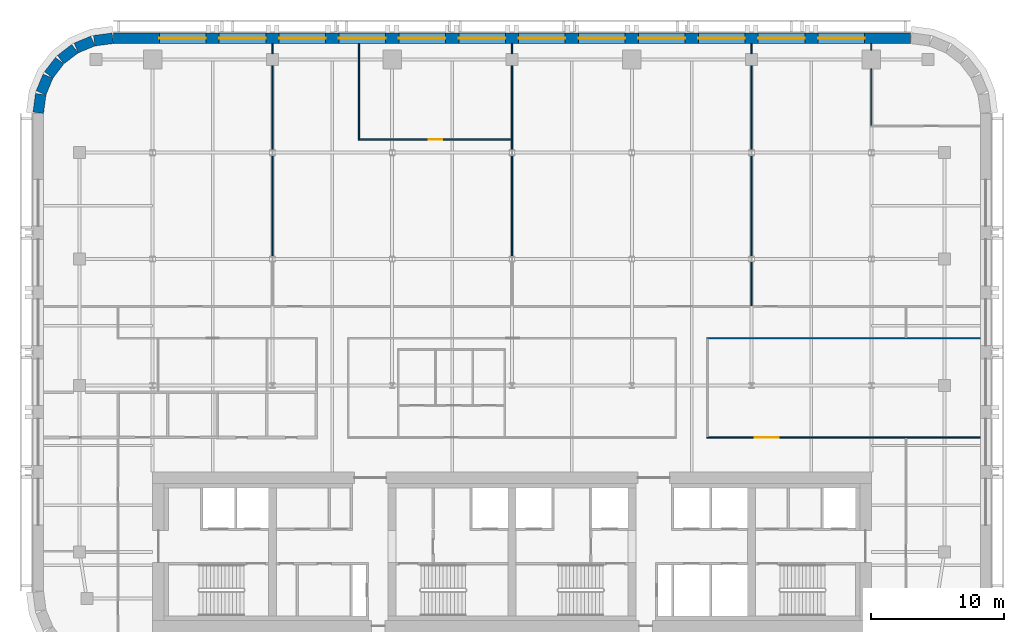
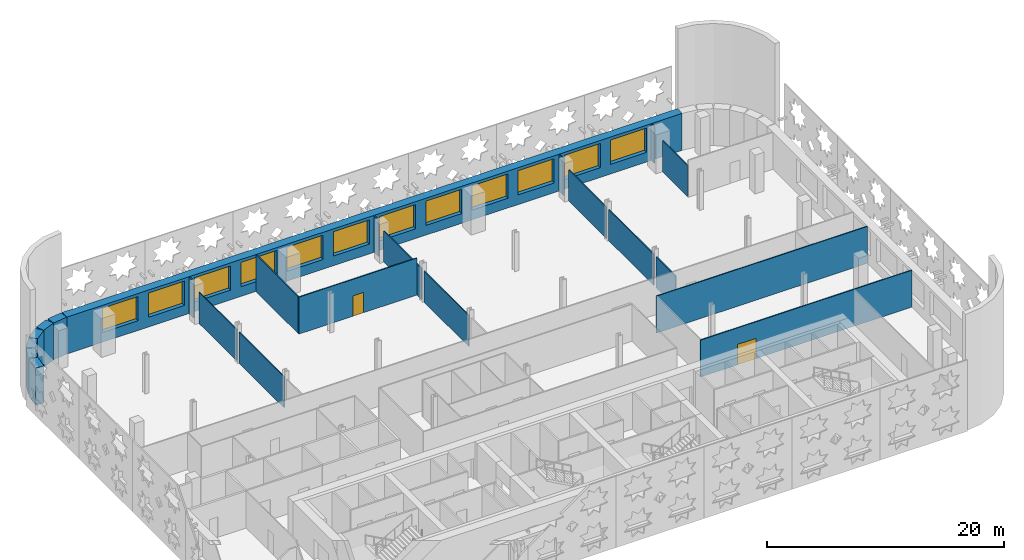
# One storey, part 7 of 14: 23 walls, 12 windows, 2 doors, 14 openings.
"""IFC4 building model written with IfcOpenShell, lengths in metres."""

import ifcopenshell
import ifcopenshell.guid

model = None  # the IFC model being written
_history = None  # IfcOwnerHistory: only IFC2X3 demands one
_inside = {}  # id of a spatial element -> (the spatial element, [elements in it])
_under = {}  # id of a project, library or spatial element -> (it, [spatial elements below it])
_declared = {}  # id of a project -> (the project, [libraries it declares])
_typed = {}  # id of a type object -> (the type object, [elements of that type])
_made_of = {}  # id of a material, layer set ... -> (it, [elements and type objects made of it])


def new_model(schema):
    """Start an empty IFC model of exactly this schema.

    Asked for "IFC4X3", IfcOpenShell would pick the latest addendum, in which some entities
    have other attributes; the version numbers below select the first issue.
    IFC2X3 requires an IfcOwnerHistory on every rooted entity: one is made here for all.
    """
    global model, _history
    if schema == "IFC4X3":
        model = ifcopenshell.file(schema_version=(4, 3, 0, 0))
    else:
        model = ifcopenshell.file(schema=schema)
    _inside.clear()
    _under.clear()
    _declared.clear()
    _typed.clear()
    _made_of.clear()
    _history = None
    if model.schema == "IFC2X3":
        org = make("IfcOrganization", Name="unknown")
        user = make(
            "IfcPersonAndOrganization",
            ThePerson=make("IfcPerson", FamilyName="unknown"),
            TheOrganization=org,
        )
        app = make(
            "IfcApplication",
            ApplicationDeveloper=org,
            Version="unknown",
            ApplicationFullName="unknown",
            ApplicationIdentifier="unknown",
        )
        _history = make(
            "IfcOwnerHistory",
            OwningUser=user,
            OwningApplication=app,
            ChangeAction="ADDED",
            CreationDate=0,
        )
    return model


def make(cls, **values):
    """One entity of the class cls with the attributes given. An attribute that is None is left unset."""
    return model.create_entity(
        cls, **{name: value for name, value in values.items() if value is not None}
    )


def rooted(cls, **values):
    """An entity with a GlobalId (a new one), such as an element, a storey or a relation."""
    return make(cls, GlobalId=ifcopenshell.guid.new(), OwnerHistory=_history, **values)


def si_unit(unit_type, name, prefix=None):
    """IfcSIUnit, for example si_unit("LENGTHUNIT", "METRE", prefix="MILLI")."""
    return make("IfcSIUnit", UnitType=unit_type, Prefix=prefix, Name=name)


def assignment(units):
    """IfcUnitAssignment: the units of a project."""
    return None if units is None else make("IfcUnitAssignment", Units=units)


def point(xyz):
    """IfcCartesianPoint."""
    return None if xyz is None else make("IfcCartesianPoint", Coordinates=xyz)


def direction(xyz):
    """IfcDirection."""
    return None if xyz is None else make("IfcDirection", DirectionRatios=xyz)


def frame(location, z_axis=None, x_axis=None):
    """IfcAxis2Placement3D, a coordinate frame: its origin and axes. An axis left out is left unset."""
    return make(
        "IfcAxis2Placement3D",
        Location=point(location),
        Axis=direction(z_axis),
        RefDirection=direction(x_axis),
    )


def frame_2d(location, x_axis=None):
    """IfcAxis2Placement2D, a coordinate frame in the plane: its origin and x axis."""
    return make(
        "IfcAxis2Placement2D", Location=point(location), RefDirection=direction(x_axis)
    )


def origin():
    """The frame at (0, 0, 0) with its axes left unset."""
    return frame((0.0, 0.0, 0.0))


def place(relative_to, where):
    """IfcLocalPlacement: puts the frame where relative to a parent placement (None: the world)."""
    return make(
        "IfcLocalPlacement", PlacementRelTo=relative_to, RelativePlacement=where
    )


def context(
    kind, dimensions, precision=None, world=None, true_north=None, identifier=None
):
    """IfcGeometricRepresentationContext, for example the 3D "Model" context."""
    return make(
        "IfcGeometricRepresentationContext",
        ContextIdentifier=identifier,
        ContextType=kind,
        CoordinateSpaceDimension=dimensions,
        Precision=precision,
        WorldCoordinateSystem=world,
        TrueNorth=true_north,
    )


def subcontext(parent, identifier, kind, view, scale=None):
    """IfcGeometricRepresentationSubContext, for example "Body" below "Model"."""
    return make(
        "IfcGeometricRepresentationSubContext",
        ContextIdentifier=identifier,
        ContextType=kind,
        ParentContext=parent,
        TargetScale=scale,
        TargetView=view,
    )


def project(units=None, contexts=None):
    """IfcProject with its units and contexts."""
    return rooted(
        "IfcProject",
        Name="project",
        RepresentationContexts=contexts,
        UnitsInContext=assignment(units),
    )


def spatial(cls, under=None, at=None, **own):
    """A site, building, storey or space (cls), placed at a placement, below another one or the project."""
    s = rooted(cls, ObjectPlacement=at, **own)
    if under is not None:
        _under.setdefault(under.id(), (under, []))[1].append(s)
    return s


def profile(cls, at=None, kind="AREA", **sizes):
    """A parametric profile (cls). Its sizes go by their IFC names, for example OverallWidth=200.0."""
    return make(cls, ProfileType=kind, Position=at, **sizes)


def rectangle(**sizes):
    """IfcRectangleProfileDef."""
    return profile("IfcRectangleProfileDef", **sizes)


def extrude(swept, where, along, depth):
    """IfcExtrudedAreaSolid: the profile swept, set in the frame where, extruded along a direction by depth."""
    return make(
        "IfcExtrudedAreaSolid",
        SweptArea=swept,
        Position=where,
        ExtrudedDirection=direction(along),
        Depth=depth,
    )


def shape(context_of_items, identifier, shape_type, items):
    """IfcShapeRepresentation: the items that make up one representation, for example the "Body"."""
    return make(
        "IfcShapeRepresentation",
        ContextOfItems=context_of_items,
        RepresentationIdentifier=identifier,
        RepresentationType=shape_type,
        Items=items,
    )


def material(Name=None, Category=None):
    """IfcMaterial."""
    return make("IfcMaterial", Name=Name, Category=Category)


def layer(
    of_material, thickness, ventilated=None, Name=None, Category=None, Priority=None
):
    """IfcMaterialLayer: one layer of a wall or slab, of a material (None: an air gap)."""
    return make(
        "IfcMaterialLayer",
        Material=of_material,
        LayerThickness=thickness,
        IsVentilated=ventilated,
        Name=Name,
        Category=Category,
        Priority=Priority,
    )


def layer_set(layers, Name=None):
    """IfcMaterialLayerSet."""
    return make("IfcMaterialLayerSet", MaterialLayers=layers, LayerSetName=Name)


def made_of(thing, what):
    """Note that an element or type object is made of a material, layer set ...; save() writes the relation."""
    if what is not None:
        _made_of.setdefault(what.id(), (what, []))[1].append(thing)
    return thing


def type_object(cls, material=None, **own):
    """A type object (cls), such as IfcWallType, which elements share."""
    return made_of(rooted(cls, **own), material)


def element(
    cls,
    number,
    at=None,
    inside=None,
    cuts=None,
    type_object=None,
    material=None,
    context=None,
    identifier="Body",
    shape_type=None,
    held_by="IfcProductDefinitionShape",
    body=None,
    shapes=None,
    **own,
):
    """One element of the class cls, such as IfcWall. Its Tag is "e" and its number.

    at: its placement. inside: the storey or other place that contains it. cuts: it is an
    opening in that element (IfcRelVoidsElement). A single representation is given by context,
    identifier, shape_type and body (its items); several are given by shapes. held_by: the class
    of the entity that holds the representations. save() writes the other relations.
    """
    e = rooted(cls, Tag="e%d" % number, ObjectPlacement=at, **own)
    if body is not None:
        shapes = [shape(context, identifier, shape_type, body)]
    if shapes is not None:
        e.Representation = make(held_by, Representations=shapes)
    if inside is not None:
        _inside.setdefault(inside.id(), (inside, []))[1].append(e)
    if cuts is not None:
        rooted(
            "IfcRelVoidsElement", RelatingBuildingElement=cuts, RelatedOpeningElement=e
        )
    if type_object is not None:
        _typed.setdefault(type_object.id(), (type_object, []))[1].append(e)
    return made_of(e, material)


def fill(opening, filler):
    """IfcRelFillsElement: the door or window that sits in an opening."""
    return rooted(
        "IfcRelFillsElement",
        RelatingOpeningElement=opening,
        RelatedBuildingElement=filler,
    )


def aggregate(whole, parts):
    """IfcRelAggregates: a whole, such as a stair, and the parts it consists of."""
    return rooted("IfcRelAggregates", RelatingObject=whole, RelatedObjects=parts)


def save(model, path):
    """Write the relations noted so far, then the file.

    IfcRelAggregates (storeys below a building ...), IfcRelContainedInSpatialStructure (elements
    in a storey), IfcRelDefinesByType, IfcRelAssociatesMaterial and IfcRelDeclares: one each for
    every whole, place, type object, material and project.
    """
    for whole, parts in _under.values():
        aggregate(whole, parts)
    for where, things in _inside.values():
        rooted(
            "IfcRelContainedInSpatialStructure",
            RelatedElements=things,
            RelatingStructure=where,
        )
    for kind, things in _typed.values():
        rooted("IfcRelDefinesByType", RelatedObjects=things, RelatingType=kind)
    for what, things in _made_of.values():
        rooted("IfcRelAssociatesMaterial", RelatedObjects=things, RelatingMaterial=what)
    for by, libraries in _declared.values():
        rooted("IfcRelDeclares", RelatingContext=by, RelatedDefinitions=libraries)
    model.write(path)


model = new_model("IFC4")

# Units and contexts
model_context = context("Model", 3, precision=1e-05, world=origin(), true_north=direction((0.0, 1.0)))
body_context = subcontext(model_context, "Body", "Model", "MODEL_VIEW")
ifc_project = project(units=[si_unit("LENGTHUNIT", "METRE"), si_unit("AREAUNIT", "SQUARE_METRE"), si_unit("VOLUMEUNIT", "CUBIC_METRE"), si_unit("PLANEANGLEUNIT", "RADIAN"), si_unit("MASSUNIT", "GRAM", prefix="KILO")], contexts=[model_context])

# Site, building, storey
site_placement = place(None, origin())
site = spatial("IfcSite", under=ifc_project, at=site_placement, CompositionType="ELEMENT")
building_placement = place(site_placement, origin())
building = spatial("IfcBuilding", under=site, at=building_placement, Name="Zellij Exchange Tower", CompositionType="ELEMENT")
storey_placement = place(building_placement, frame((0.0, 0.0, 188.5)))
storey = spatial("IfcBuildingStorey", under=building, at=storey_placement, Name="L43", CompositionType="ELEMENT", Elevation=188.5)

# Wall, openings, windows
ifc_material_1 = material(Name="Precast concrete C40/50", Category="concrete")
ifc_layer_1 = layer(ifc_material_1, 0.800048828125)
ifc_layer_set_1 = layer_set([ifc_layer_1], Name="Precast concrete C40/50")
wall_type_1 = type_object("IfcWallType", Name="ENV-EW1 Precast stone-piered wall 800", PredefinedType="SOLIDWALL", material=ifc_layer_set_1)
wall_1_placement = place(storey_placement, frame((29.947509765625, 30.60009765625, 0.0), z_axis=(0.0, 0.0, 1.0), x_axis=(-1.0, 0.0, 0.0)))
wall_1 = element("IfcWall", 1, at=wall_1_placement, inside=storey, type_object=wall_type_1, Name="fac.L43.14", PredefinedType="SOLIDWALL", context=body_context, shape_type="SweptSolid", body=[
    extrude(rectangle(XDim=59.89501953125, YDim=0.800048828125, at=frame_2d((29.947509765625, 0.0))), origin(), (0.0, 0.0, 1.0), 3.800048828125),
])
opening_1_placement = place(wall_1_placement, frame((3.447509765625, 0.0, 1.0)))
opening_1 = element("IfcOpeningElement", 2, at=opening_1_placement, cuts=wall_1, Name="Opening FZ3.19", PredefinedType="OPENING", context=body_context, shape_type="SweptSolid", body=[
    extrude(rectangle(XDim=3.5, YDim=2.5, at=frame_2d((1.75, 1.25))), frame((0.0, 0.412109375, 0.0), z_axis=(0.0, -1.0, 0.0), x_axis=(1.0, 0.0, 0.0)), (0.0, 0.0, 1.0), 0.823974609375),
])
opening_2_placement = place(wall_1_placement, frame((7.947509765625, 0.0, 1.0)))
opening_2 = element("IfcOpeningElement", 3, at=opening_2_placement, cuts=wall_1, Name="Opening FZ3.20", PredefinedType="OPENING", context=body_context, shape_type="SweptSolid", body=[
    extrude(rectangle(XDim=3.5, YDim=2.5, at=frame_2d((1.75, 1.25))), frame((0.0, 0.412109375, 0.0), z_axis=(0.0, -1.0, 0.0), x_axis=(1.0, 0.0, 0.0)), (0.0, 0.0, 1.0), 0.823974609375),
])
opening_3_placement = place(wall_1_placement, frame((12.447509765625, 0.0, 1.0)))
opening_3 = element("IfcOpeningElement", 4, at=opening_3_placement, cuts=wall_1, Name="Opening FZ3.21", PredefinedType="OPENING", context=body_context, shape_type="SweptSolid", body=[
    extrude(rectangle(XDim=3.5, YDim=2.5, at=frame_2d((1.75, 1.25))), frame((0.0, 0.412109375, 0.0), z_axis=(0.0, -1.0, 0.0), x_axis=(1.0, 0.0, 0.0)), (0.0, 0.0, 1.0), 0.823974609375),
])
opening_4_placement = place(wall_1_placement, frame((16.947509765625, 0.0, 1.0)))
opening_4 = element("IfcOpeningElement", 5, at=opening_4_placement, cuts=wall_1, Name="Opening FZ3.22", PredefinedType="OPENING", context=body_context, shape_type="SweptSolid", body=[
    extrude(rectangle(XDim=3.5, YDim=2.5, at=frame_2d((1.75, 1.25))), frame((0.0, 0.412109375, 0.0), z_axis=(0.0, -1.0, 0.0), x_axis=(1.0, 0.0, 0.0)), (0.0, 0.0, 1.0), 0.823974609375),
])
opening_5_placement = place(wall_1_placement, frame((21.447509765625, 0.0, 1.0)))
opening_5 = element("IfcOpeningElement", 6, at=opening_5_placement, cuts=wall_1, Name="Opening FZ3.23", PredefinedType="OPENING", context=body_context, shape_type="SweptSolid", body=[
    extrude(rectangle(XDim=3.5, YDim=2.5, at=frame_2d((1.75, 1.25))), frame((0.0, 0.412109375, 0.0), z_axis=(0.0, -1.0, 0.0), x_axis=(1.0, 0.0, 0.0)), (0.0, 0.0, 1.0), 0.823974609375),
])
opening_6_placement = place(wall_1_placement, frame((25.947509765625, 0.0, 1.0)))
opening_6 = element("IfcOpeningElement", 7, at=opening_6_placement, cuts=wall_1, Name="Opening FZ3.24", PredefinedType="OPENING", context=body_context, shape_type="SweptSolid", body=[
    extrude(rectangle(XDim=3.5, YDim=2.5, at=frame_2d((1.75, 1.25))), frame((0.0, 0.412109375, 0.0), z_axis=(0.0, -1.0, 0.0), x_axis=(1.0, 0.0, 0.0)), (0.0, 0.0, 1.0), 0.823974609375),
])
opening_7_placement = place(wall_1_placement, frame((30.447509765625, 0.0, 1.0)))
opening_7 = element("IfcOpeningElement", 8, at=opening_7_placement, cuts=wall_1, Name="Opening FZ3.25", PredefinedType="OPENING", context=body_context, shape_type="SweptSolid", body=[
    extrude(rectangle(XDim=3.5, YDim=2.5, at=frame_2d((1.75, 1.25))), frame((0.0, 0.412109375, 0.0), z_axis=(0.0, -1.0, 0.0), x_axis=(1.0, 0.0, 0.0)), (0.0, 0.0, 1.0), 0.823974609375),
])
opening_8_placement = place(wall_1_placement, frame((34.947509765625, 0.0, 1.0)))
opening_8 = element("IfcOpeningElement", 9, at=opening_8_placement, cuts=wall_1, Name="Opening FZ3.26", PredefinedType="OPENING", context=body_context, shape_type="SweptSolid", body=[
    extrude(rectangle(XDim=3.5, YDim=2.5, at=frame_2d((1.75, 1.25))), frame((0.0, 0.412109375, 0.0), z_axis=(0.0, -1.0, 0.0), x_axis=(1.0, 0.0, 0.0)), (0.0, 0.0, 1.0), 0.823974609375),
])
opening_9_placement = place(wall_1_placement, frame((39.447509765625, 0.0, 1.0)))
opening_9 = element("IfcOpeningElement", 10, at=opening_9_placement, cuts=wall_1, Name="Opening FZ3.27", PredefinedType="OPENING", context=body_context, shape_type="SweptSolid", body=[
    extrude(rectangle(XDim=3.5, YDim=2.5, at=frame_2d((1.75, 1.25))), frame((0.0, 0.412109375, 0.0), z_axis=(0.0, -1.0, 0.0), x_axis=(1.0, 0.0, 0.0)), (0.0, 0.0, 1.0), 0.823974609375),
])
opening_10_placement = place(wall_1_placement, frame((43.947509765625, 0.0, 1.0)))
opening_10 = element("IfcOpeningElement", 11, at=opening_10_placement, cuts=wall_1, Name="Opening FZ3.28", PredefinedType="OPENING", context=body_context, shape_type="SweptSolid", body=[
    extrude(rectangle(XDim=3.5, YDim=2.5, at=frame_2d((1.75, 1.25))), frame((0.0, 0.412109375, 0.0), z_axis=(0.0, -1.0, 0.0), x_axis=(1.0, 0.0, 0.0)), (0.0, 0.0, 1.0), 0.823974609375),
])
opening_11_placement = place(wall_1_placement, frame((48.447509765625, 0.0, 1.0)))
opening_11 = element("IfcOpeningElement", 12, at=opening_11_placement, cuts=wall_1, Name="Opening FZ3.29", PredefinedType="OPENING", context=body_context, shape_type="SweptSolid", body=[
    extrude(rectangle(XDim=3.5, YDim=2.5, at=frame_2d((1.75, 1.25))), frame((0.0, 0.412109375, 0.0), z_axis=(0.0, -1.0, 0.0), x_axis=(1.0, 0.0, 0.0)), (0.0, 0.0, 1.0), 0.823974609375),
])
opening_12_placement = place(wall_1_placement, frame((52.947509765625, 0.0, 1.0)))
opening_12 = element("IfcOpeningElement", 13, at=opening_12_placement, cuts=wall_1, Name="Opening FZ3.30", PredefinedType="OPENING", context=body_context, shape_type="SweptSolid", body=[
    extrude(rectangle(XDim=3.5, YDim=2.5, at=frame_2d((1.75, 1.25))), frame((0.0, 0.412109375, 0.0), z_axis=(0.0, -1.0, 0.0), x_axis=(1.0, 0.0, 0.0)), (0.0, 0.0, 1.0), 0.823974609375),
])
ifc_material_2 = material(Name="Aluminium frame with insulating glass", Category="aluminium")
window_type = type_object("IfcWindowType", Name="ENV-W1 Window 3500x2500", PartitioningType="SINGLE_PANEL", PredefinedType="WINDOW", material=ifc_material_2)
window_1_placement = place(opening_1_placement, origin())
window_1 = element("IfcWindow", 14, at=window_1_placement, inside=storey, type_object=window_type, Name="Window FZ3.19", OverallHeight=2.5, OverallWidth=3.5, PartitioningType="SINGLE_PANEL", PredefinedType="WINDOW", context=body_context, shape_type="SweptSolid", body=[
    extrude(rectangle(XDim=3.5, YDim=2.5, at=frame_2d((1.75, 1.25))), frame((0.0, 0.030029296875, 0.0), z_axis=(0.0, -1.0, 0.0), x_axis=(1.0, 0.0, 0.0)), (0.0, 0.0, 1.0), 0.06005859375),
])
fill(opening_1, window_1)
window_2_placement = place(opening_2_placement, origin())
window_2 = element("IfcWindow", 15, at=window_2_placement, inside=storey, type_object=window_type, Name="Window FZ3.20", OverallHeight=2.5, OverallWidth=3.5, PartitioningType="SINGLE_PANEL", PredefinedType="WINDOW", context=body_context, shape_type="SweptSolid", body=[
    extrude(rectangle(XDim=3.5, YDim=2.5, at=frame_2d((1.75, 1.25))), frame((0.0, 0.030029296875, 0.0), z_axis=(0.0, -1.0, 0.0), x_axis=(1.0, 0.0, 0.0)), (0.0, 0.0, 1.0), 0.06005859375),
])
fill(opening_2, window_2)
window_3_placement = place(opening_3_placement, origin())
window_3 = element("IfcWindow", 16, at=window_3_placement, inside=storey, type_object=window_type, Name="Window FZ3.21", OverallHeight=2.5, OverallWidth=3.5, PartitioningType="SINGLE_PANEL", PredefinedType="WINDOW", context=body_context, shape_type="SweptSolid", body=[
    extrude(rectangle(XDim=3.5, YDim=2.5, at=frame_2d((1.75, 1.25))), frame((0.0, 0.030029296875, 0.0), z_axis=(0.0, -1.0, 0.0), x_axis=(1.0, 0.0, 0.0)), (0.0, 0.0, 1.0), 0.06005859375),
])
fill(opening_3, window_3)
window_4_placement = place(opening_4_placement, origin())
window_4 = element("IfcWindow", 17, at=window_4_placement, inside=storey, type_object=window_type, Name="Window FZ3.22", OverallHeight=2.5, OverallWidth=3.5, PartitioningType="SINGLE_PANEL", PredefinedType="WINDOW", context=body_context, shape_type="SweptSolid", body=[
    extrude(rectangle(XDim=3.5, YDim=2.5, at=frame_2d((1.75, 1.25))), frame((0.0, 0.030029296875, 0.0), z_axis=(0.0, -1.0, 0.0), x_axis=(1.0, 0.0, 0.0)), (0.0, 0.0, 1.0), 0.06005859375),
])
fill(opening_4, window_4)
window_5_placement = place(opening_5_placement, origin())
window_5 = element("IfcWindow", 18, at=window_5_placement, inside=storey, type_object=window_type, Name="Window FZ3.23", OverallHeight=2.5, OverallWidth=3.5, PartitioningType="SINGLE_PANEL", PredefinedType="WINDOW", context=body_context, shape_type="SweptSolid", body=[
    extrude(rectangle(XDim=3.5, YDim=2.5, at=frame_2d((1.75, 1.25))), frame((0.0, 0.030029296875, 0.0), z_axis=(0.0, -1.0, 0.0), x_axis=(1.0, 0.0, 0.0)), (0.0, 0.0, 1.0), 0.06005859375),
])
fill(opening_5, window_5)
window_6_placement = place(opening_6_placement, origin())
window_6 = element("IfcWindow", 19, at=window_6_placement, inside=storey, type_object=window_type, Name="Window FZ3.24", OverallHeight=2.5, OverallWidth=3.5, PartitioningType="SINGLE_PANEL", PredefinedType="WINDOW", context=body_context, shape_type="SweptSolid", body=[
    extrude(rectangle(XDim=3.5, YDim=2.5, at=frame_2d((1.75, 1.25))), frame((0.0, 0.030029296875, 0.0), z_axis=(0.0, -1.0, 0.0), x_axis=(1.0, 0.0, 0.0)), (0.0, 0.0, 1.0), 0.06005859375),
])
fill(opening_6, window_6)
window_7_placement = place(opening_7_placement, origin())
window_7 = element("IfcWindow", 20, at=window_7_placement, inside=storey, type_object=window_type, Name="Window FZ3.25", OverallHeight=2.5, OverallWidth=3.5, PartitioningType="SINGLE_PANEL", PredefinedType="WINDOW", context=body_context, shape_type="SweptSolid", body=[
    extrude(rectangle(XDim=3.5, YDim=2.5, at=frame_2d((1.75, 1.25))), frame((0.0, 0.030029296875, 0.0), z_axis=(0.0, -1.0, 0.0), x_axis=(1.0, 0.0, 0.0)), (0.0, 0.0, 1.0), 0.06005859375),
])
fill(opening_7, window_7)
window_8_placement = place(opening_8_placement, origin())
window_8 = element("IfcWindow", 21, at=window_8_placement, inside=storey, type_object=window_type, Name="Window FZ3.26", OverallHeight=2.5, OverallWidth=3.5, PartitioningType="SINGLE_PANEL", PredefinedType="WINDOW", context=body_context, shape_type="SweptSolid", body=[
    extrude(rectangle(XDim=3.5, YDim=2.5, at=frame_2d((1.75, 1.25))), frame((0.0, 0.030029296875, 0.0), z_axis=(0.0, -1.0, 0.0), x_axis=(1.0, 0.0, 0.0)), (0.0, 0.0, 1.0), 0.06005859375),
])
fill(opening_8, window_8)
window_9_placement = place(opening_9_placement, origin())
window_9 = element("IfcWindow", 22, at=window_9_placement, inside=storey, type_object=window_type, Name="Window FZ3.27", OverallHeight=2.5, OverallWidth=3.5, PartitioningType="SINGLE_PANEL", PredefinedType="WINDOW", context=body_context, shape_type="SweptSolid", body=[
    extrude(rectangle(XDim=3.5, YDim=2.5, at=frame_2d((1.75, 1.25))), frame((0.0, 0.030029296875, 0.0), z_axis=(0.0, -1.0, 0.0), x_axis=(1.0, 0.0, 0.0)), (0.0, 0.0, 1.0), 0.06005859375),
])
fill(opening_9, window_9)
window_10_placement = place(opening_10_placement, origin())
window_10 = element("IfcWindow", 23, at=window_10_placement, inside=storey, type_object=window_type, Name="Window FZ3.28", OverallHeight=2.5, OverallWidth=3.5, PartitioningType="SINGLE_PANEL", PredefinedType="WINDOW", context=body_context, shape_type="SweptSolid", body=[
    extrude(rectangle(XDim=3.5, YDim=2.5, at=frame_2d((1.75, 1.25))), frame((0.0, 0.030029296875, 0.0), z_axis=(0.0, -1.0, 0.0), x_axis=(1.0, 0.0, 0.0)), (0.0, 0.0, 1.0), 0.06005859375),
])
fill(opening_10, window_10)
window_11_placement = place(opening_11_placement, origin())
window_11 = element("IfcWindow", 24, at=window_11_placement, inside=storey, type_object=window_type, Name="Window FZ3.29", OverallHeight=2.5, OverallWidth=3.5, PartitioningType="SINGLE_PANEL", PredefinedType="WINDOW", context=body_context, shape_type="SweptSolid", body=[
    extrude(rectangle(XDim=3.5, YDim=2.5, at=frame_2d((1.75, 1.25))), frame((0.0, 0.030029296875, 0.0), z_axis=(0.0, -1.0, 0.0), x_axis=(1.0, 0.0, 0.0)), (0.0, 0.0, 1.0), 0.06005859375),
])
fill(opening_11, window_11)
window_12_placement = place(opening_12_placement, origin())
window_12 = element("IfcWindow", 25, at=window_12_placement, inside=storey, type_object=window_type, Name="Window FZ3.30", OverallHeight=2.5, OverallWidth=3.5, PartitioningType="SINGLE_PANEL", PredefinedType="WINDOW", context=body_context, shape_type="SweptSolid", body=[
    extrude(rectangle(XDim=3.5, YDim=2.5, at=frame_2d((1.75, 1.25))), frame((0.0, 0.030029296875, 0.0), z_axis=(0.0, -1.0, 0.0), x_axis=(1.0, 0.0, 0.0)), (0.0, 0.0, 1.0), 0.06005859375),
])
fill(opening_12, window_12)

# Walls
wall_2_placement = place(storey_placement, frame((-29.999755859375, 30.5966796875, 0.0), z_axis=(0.0, 0.0, 1.0), x_axis=(-0.99144603414, -0.130517283865, 0.0)))
element("IfcWall", 26, at=wall_2_placement, inside=storey, type_object=wall_type_1, Name="fac.L43.15", PredefinedType="SOLIDWALL", context=body_context, shape_type="SweptSolid", body=[
    extrude(rectangle(XDim=1.408447265625, YDim=0.800048828125, at=frame_2d((0.7041015625, 0.0))), origin(), (0.0, 0.0, 1.0), 3.800048828125),
])
wall_3_placement = place(storey_placement, frame((-31.497314453125, 30.3857421875, 0.0), z_axis=(0.0, 0.0, 1.0), x_axis=(-0.923847774587, -0.38276009378, 0.0)))
element("IfcWall", 27, at=wall_3_placement, inside=storey, type_object=wall_type_1, Name="fac.L43.16", PredefinedType="SOLIDWALL", context=body_context, shape_type="SweptSolid", body=[
    extrude(rectangle(XDim=1.35546875, YDim=0.800048828125, at=frame_2d((0.677734375, 0.0))), origin(), (0.0, 0.0, 1.0), 3.800048828125),
])
for number, where, z_axis, x_axis, name in (
    (28, (-32.840087890625, 29.814697265625, 0.0), (0.0, 0.0, 1.0), (-0.793272915452, -0.608866226366, 0.0), "fac.L43.17"),
    (29, (-33.9892578125, 28.91552734375, 0.0), (0.0, 0.0, 1.0), (-0.608866226366, -0.793272915452, 0.0), "fac.L43.18"),
):
    element("IfcWall", number, at=place(storey_placement, frame(where, z_axis=z_axis, x_axis=x_axis)), inside=storey, type_object=wall_type_1, Name=name, PredefinedType="SOLIDWALL", context=body_context, shape_type="SweptSolid", body=[
        extrude(rectangle(XDim=1.355712890625, YDim=0.800048828125, at=frame_2d((0.677734375, 0.0))), origin(), (0.0, 0.0, 1.0), 3.800048828125),
    ])
wall_4_placement = place(storey_placement, frame((-34.866943359375, 27.74951171875, 0.0), z_axis=(0.0, 0.0, 1.0), x_axis=(-0.38276009378, -0.923847774587, 0.0)))
element("IfcWall", 30, at=wall_4_placement, inside=storey, type_object=wall_type_1, Name="fac.L43.19", PredefinedType="SOLIDWALL", context=body_context, shape_type="SweptSolid", body=[
    extrude(rectangle(XDim=1.35546875, YDim=0.800048828125, at=frame_2d((0.677734375, 0.0))), origin(), (0.0, 0.0, 1.0), 3.800048828125),
])
wall_5_placement = place(storey_placement, frame((-35.412841796875, 26.396240234375, 0.0), z_axis=(0.0, 0.0, 1.0), x_axis=(-0.130517283865, -0.99144603414, 0.0)))
element("IfcWall", 31, at=wall_5_placement, inside=storey, type_object=wall_type_1, Name="fac.L43.20", PredefinedType="SOLIDWALL", context=body_context, shape_type="SweptSolid", body=[
    extrude(rectangle(XDim=1.408447265625, YDim=0.800048828125, at=frame_2d((0.7041015625, 0.0))), origin(), (0.0, 0.0, 1.0), 3.800048828125),
])

# Wall, opening, door
ifc_material_3 = material(Name="Gypsum board partition on steel studs", Category="steel")
ifc_layer_2 = layer(ifc_material_3, 0.10009765625)
ifc_layer_set_2 = layer_set([ifc_layer_2], Name="Gypsum board partition on steel studs")
wall_type_2 = type_object("IfcWallType", Name="FIT-PARTITION-100", PredefinedType="PARTITIONING", material=ifc_layer_set_2)
wall_6_placement = place(storey_placement, frame((14.64990234375, 0.60009765625, 0.0), z_axis=(0.0, 0.0, 1.0), x_axis=(1.0, 0.0, 0.0)))
wall_6 = element("IfcWall", 32, at=wall_6_placement, inside=storey, type_object=wall_type_2, Name="FIT-PARTITION-100 018", PredefinedType="PARTITIONING", context=body_context, shape_type="SweptSolid", body=[
    extrude(rectangle(XDim=20.550048828125, YDim=0.10009765625, at=frame_2d((10.27490234375, 0.0))), origin(), (0.0, 0.0, 1.0), 3.800048828125),
])
opening_13_placement = place(wall_6_placement, frame((3.60009765625, 0.0, 0.0)))
opening_13 = element("IfcOpeningElement", 33, at=opening_13_placement, cuts=wall_6, Name="Opening O3C.10", PredefinedType="OPENING", context=body_context, shape_type="SweptSolid", body=[
    extrude(rectangle(XDim=1.800048828125, YDim=2.10009765625, at=frame_2d((0.89990234375, 1.050048828125))), frame((0.0, 0.06201171875, 0.0), z_axis=(0.0, -1.0, 0.0), x_axis=(1.0, 0.0, 0.0)), (0.0, 0.0, 1.0), 0.1240234375),
])
ifc_material_4 = material(Name="Timber door set", Category="wood")
door_type_1 = type_object("IfcDoorType", Name="FIT-D3-DOUBLE-1800X2100", OperationType="DOUBLE_DOOR_SINGLE_SWING", PredefinedType="DOOR", material=ifc_material_4)
door_1_placement = place(opening_13_placement, origin())
door_1 = element("IfcDoor", 34, at=door_1_placement, inside=storey, type_object=door_type_1, Name="Door O3C.10", OperationType="DOUBLE_DOOR_SINGLE_SWING", OverallHeight=2.10009765625, OverallWidth=1.800048828125, PredefinedType="DOOR", context=body_context, shape_type="SweptSolid", body=[
    extrude(rectangle(XDim=1.800048828125, YDim=2.10009765625, at=frame_2d((0.89990234375, 1.050048828125))), frame((0.0, 0.02490234375, 0.0), z_axis=(0.0, -1.0, 0.0), x_axis=(1.0, 0.0, 0.0)), (0.0, 0.0, 1.0), 0.050048828125),
])
fill(opening_13, door_1)

# Walls
wall_7_placement = place(storey_placement, frame((14.64990234375, 8.050048828125, 0.0), z_axis=(0.0, 0.0, 1.0), x_axis=(1.0, 0.0, 0.0)))
element("IfcWall", 35, at=wall_7_placement, inside=storey, type_object=wall_type_2, Name="FIT-PARTITION-100 034", PredefinedType="PARTITIONING", context=body_context, shape_type="SweptSolid", body=[
    extrude(rectangle(XDim=20.550048828125, YDim=0.10009765625, at=frame_2d((10.27490234375, 0.0))), origin(), (0.0, 0.0, 1.0), 3.800048828125),
])
wall_8_placement = place(storey_placement, frame((-18.0, 14.212158203125, 0.0), z_axis=(0.0, 0.0, 1.0), x_axis=(0.0, 1.0, 0.0)))
element("IfcWall", 36, at=wall_8_placement, inside=storey, type_object=wall_type_2, Name="FIT-PARTITION-100 038", PredefinedType="PARTITIONING", context=body_context, shape_type="SweptSolid", body=[
    extrude(rectangle(XDim=7.57568359375, YDim=0.10009765625, at=frame_2d((3.787841796875, 0.0))), origin(), (0.0, 0.0, 1.0), 3.19287109375),
])
wall_9_placement = place(storey_placement, frame((-18.0, 22.212158203125, 0.0), z_axis=(0.0, 0.0, 1.0), x_axis=(0.0, 1.0, 0.0)))
element("IfcWall", 37, at=wall_9_placement, inside=storey, type_object=wall_type_2, Name="FIT-PARTITION-100 039", PredefinedType="PARTITIONING", context=body_context, shape_type="SweptSolid", body=[
    extrude(rectangle(XDim=6.337890625, YDim=0.10009765625, at=frame_2d((3.1689453125, 0.0))), origin(), (0.0, 0.0, 1.0), 3.19287109375),
])
wall_10_placement = place(storey_placement, frame((-18.0, 29.449951171875, 0.0), z_axis=(0.0, 0.0, 1.0), x_axis=(0.0, 1.0, 0.0)))
element("IfcWall", 38, at=wall_10_placement, inside=storey, type_object=wall_type_2, Name="FIT-PARTITION-100 040", PredefinedType="PARTITIONING", context=body_context, shape_type="SweptSolid", body=[
    extrude(rectangle(XDim=0.75, YDim=0.10009765625, at=frame_2d((0.375, 0.0))), origin(), (0.0, 0.0, 1.0), 3.800048828125),
])
wall_11_placement = place(storey_placement, frame((0.0, 14.212158203125, 0.0), z_axis=(0.0, 0.0, 1.0), x_axis=(0.0, 1.0, 0.0)))
element("IfcWall", 39, at=wall_11_placement, inside=storey, type_object=wall_type_2, Name="FIT-PARTITION-100 042", PredefinedType="PARTITIONING", context=body_context, shape_type="SweptSolid", body=[
    extrude(rectangle(XDim=7.57568359375, YDim=0.10009765625, at=frame_2d((3.787841796875, 0.0))), origin(), (0.0, 0.0, 1.0), 3.19287109375),
])
wall_12_placement = place(storey_placement, frame((0.0, 22.212158203125, 0.0), z_axis=(0.0, 0.0, 1.0), x_axis=(0.0, 1.0, 0.0)))
element("IfcWall", 40, at=wall_12_placement, inside=storey, type_object=wall_type_2, Name="FIT-PARTITION-100 043", PredefinedType="PARTITIONING", context=body_context, shape_type="SweptSolid", body=[
    extrude(rectangle(XDim=6.337890625, YDim=0.10009765625, at=frame_2d((3.1689453125, 0.0))), origin(), (0.0, 0.0, 1.0), 3.19287109375),
])
wall_13_placement = place(storey_placement, frame((0.0, 29.449951171875, 0.0), z_axis=(0.0, 0.0, 1.0), x_axis=(0.0, 1.0, 0.0)))
element("IfcWall", 41, at=wall_13_placement, inside=storey, type_object=wall_type_2, Name="FIT-PARTITION-100 044", PredefinedType="PARTITIONING", context=body_context, shape_type="SweptSolid", body=[
    extrude(rectangle(XDim=0.75, YDim=0.10009765625, at=frame_2d((0.375, 0.0))), origin(), (0.0, 0.0, 1.0), 3.800048828125),
])
wall_14_placement = place(storey_placement, frame((18.0, 10.5, 0.0), z_axis=(0.0, 0.0, 1.0), x_axis=(0.0, 1.0, 0.0)))
element("IfcWall", 42, at=wall_14_placement, inside=storey, type_object=wall_type_2, Name="FIT-PARTITION-100 045", PredefinedType="PARTITIONING", context=body_context, shape_type="SweptSolid", body=[
    extrude(rectangle(XDim=3.287841796875, YDim=0.10009765625, at=frame_2d((1.64404296875, 0.0))), origin(), (0.0, 0.0, 1.0), 3.19287109375),
])
wall_15_placement = place(storey_placement, frame((18.0, 14.212158203125, 0.0), z_axis=(0.0, 0.0, 1.0), x_axis=(0.0, 1.0, 0.0)))
element("IfcWall", 43, at=wall_15_placement, inside=storey, type_object=wall_type_2, Name="FIT-PARTITION-100 046", PredefinedType="PARTITIONING", context=body_context, shape_type="SweptSolid", body=[
    extrude(rectangle(XDim=7.57568359375, YDim=0.10009765625, at=frame_2d((3.787841796875, 0.0))), origin(), (0.0, 0.0, 1.0), 3.19287109375),
])
wall_16_placement = place(storey_placement, frame((18.0, 22.212158203125, 0.0), z_axis=(0.0, 0.0, 1.0), x_axis=(0.0, 1.0, 0.0)))
element("IfcWall", 44, at=wall_16_placement, inside=storey, type_object=wall_type_2, Name="FIT-PARTITION-100 047", PredefinedType="PARTITIONING", context=body_context, shape_type="SweptSolid", body=[
    extrude(rectangle(XDim=6.337890625, YDim=0.10009765625, at=frame_2d((3.1689453125, 0.0))), origin(), (0.0, 0.0, 1.0), 3.19287109375),
])
wall_17_placement = place(storey_placement, frame((18.0, 29.449951171875, 0.0), z_axis=(0.0, 0.0, 1.0), x_axis=(0.0, 1.0, 0.0)))
element("IfcWall", 45, at=wall_17_placement, inside=storey, type_object=wall_type_2, Name="FIT-PARTITION-100 048", PredefinedType="PARTITIONING", context=body_context, shape_type="SweptSolid", body=[
    extrude(rectangle(XDim=0.75, YDim=0.10009765625, at=frame_2d((0.375, 0.0))), origin(), (0.0, 0.0, 1.0), 3.800048828125),
])

# Wall, opening, door
wall_18_placement = place(storey_placement, frame((-11.550048828125, 23.0, 0.0), z_axis=(0.0, 0.0, 1.0), x_axis=(1.0, 0.0, 0.0)))
wall_18 = element("IfcWall", 46, at=wall_18_placement, inside=storey, type_object=wall_type_2, Name="FIT-PARTITION-100 049", PredefinedType="PARTITIONING", context=body_context, shape_type="SweptSolid", body=[
    extrude(rectangle(XDim=11.5, YDim=0.10009765625, at=frame_2d((5.75, 0.0))), origin(), (0.0, 0.0, 1.0), 3.800048828125),
])
opening_14_placement = place(wall_18_placement, frame((5.300048828125, 0.0, 0.0)))
opening_14 = element("IfcOpeningElement", 47, at=opening_14_placement, cuts=wall_18, Name="Opening O3C.20", PredefinedType="OPENING", context=body_context, shape_type="SweptSolid", body=[
    extrude(rectangle(XDim=1.0, YDim=2.10009765625, at=frame_2d((0.5, 1.050048828125))), frame((0.0, 0.06201171875, 0.0), z_axis=(0.0, -1.0, 0.0), x_axis=(1.0, 0.0, 0.0)), (0.0, 0.0, 1.0), 0.1240234375),
])
door_type_2 = type_object("IfcDoorType", Name="FIT-D2-WIDE-1000X2100", OperationType="SINGLE_SWING_LEFT", PredefinedType="DOOR", material=ifc_material_4)
door_2_placement = place(opening_14_placement, origin())
door_2 = element("IfcDoor", 48, at=door_2_placement, inside=storey, type_object=door_type_2, Name="Door O3C.20", OperationType="SINGLE_SWING_RIGHT", OverallHeight=2.10009765625, OverallWidth=1.0, PredefinedType="DOOR", context=body_context, shape_type="SweptSolid", body=[
    extrude(rectangle(XDim=1.0, YDim=2.10009765625, at=frame_2d((0.5, 1.050048828125))), frame((0.0, 0.02490234375, 0.0), z_axis=(0.0, -1.0, 0.0), x_axis=(1.0, 0.0, 0.0)), (0.0, 0.0, 1.0), 0.050048828125),
])
fill(opening_14, door_2)

# Walls
wall_19_placement = place(storey_placement, frame((-11.5, 23.050048828125, 0.0), z_axis=(0.0, 0.0, 1.0), x_axis=(0.0, 1.0, 0.0)))
element("IfcWall", 49, at=wall_19_placement, inside=storey, type_object=wall_type_2, Name="FIT-PARTITION-100 050", PredefinedType="PARTITIONING", context=body_context, shape_type="SweptSolid", body=[
    extrude(rectangle(XDim=7.14990234375, YDim=0.10009765625, at=frame_2d((3.574951171875, 0.0))), origin(), (0.0, 0.0, 1.0), 3.800048828125),
])
wall_20_placement = place(storey_placement, frame((27.0, 24.050048828125, 0.0), z_axis=(0.0, 0.0, 1.0), x_axis=(0.0, 1.0, 0.0)))
element("IfcWall", 50, at=wall_20_placement, inside=storey, type_object=wall_type_2, Name="FIT-PARTITION-100 052", PredefinedType="PARTITIONING", context=body_context, shape_type="SweptSolid", body=[
    extrude(rectangle(XDim=4.25, YDim=0.10009765625, at=frame_2d((2.125, 0.0))), origin(), (0.0, 0.0, 1.0), 3.19287109375),
])
wall_21_placement = place(storey_placement, frame((27.0, 29.699951171875, 0.0), z_axis=(0.0, 0.0, 1.0), x_axis=(0.0, 1.0, 0.0)))
element("IfcWall", 51, at=wall_21_placement, inside=storey, type_object=wall_type_2, Name="FIT-PARTITION-100 053", PredefinedType="PARTITIONING", context=body_context, shape_type="SweptSolid", body=[
    extrude(rectangle(XDim=0.5, YDim=0.10009765625, at=frame_2d((0.25, 0.0))), origin(), (0.0, 0.0, 1.0), 3.800048828125),
])

save(model, "model.ifc")
